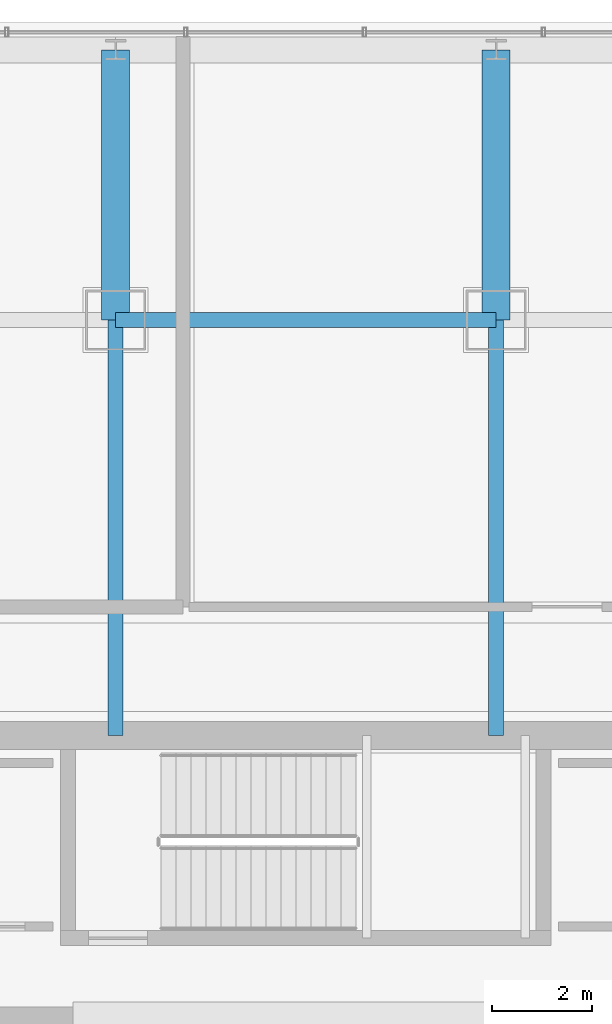
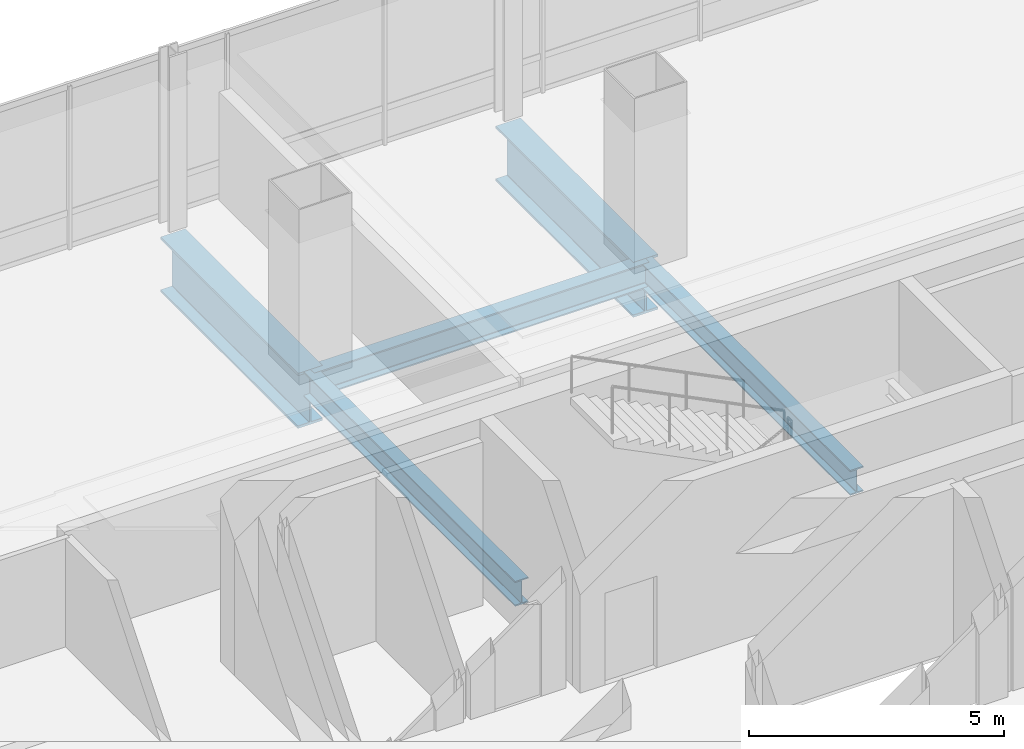
# One storey, part 23 of 51: 5 beams.
"""IFC4 building model written with IfcOpenShell, lengths in metres."""

import ifcopenshell
import ifcopenshell.guid

model = None  # the IFC model being written
_history = None  # IfcOwnerHistory: only IFC2X3 demands one
_inside = {}  # id of a spatial element -> (the spatial element, [elements in it])
_under = {}  # id of a project, library or spatial element -> (it, [spatial elements below it])
_declared = {}  # id of a project -> (the project, [libraries it declares])
_typed = {}  # id of a type object -> (the type object, [elements of that type])
_made_of = {}  # id of a material, layer set ... -> (it, [elements and type objects made of it])


def new_model(schema):
    """Start an empty IFC model of exactly this schema.

    Asked for "IFC4X3", IfcOpenShell would pick the latest addendum, in which some entities
    have other attributes; the version numbers below select the first issue.
    IFC2X3 requires an IfcOwnerHistory on every rooted entity: one is made here for all.
    """
    global model, _history
    if schema == "IFC4X3":
        model = ifcopenshell.file(schema_version=(4, 3, 0, 0))
    else:
        model = ifcopenshell.file(schema=schema)
    _inside.clear()
    _under.clear()
    _declared.clear()
    _typed.clear()
    _made_of.clear()
    _history = None
    if model.schema == "IFC2X3":
        org = make("IfcOrganization", Name="unknown")
        user = make(
            "IfcPersonAndOrganization",
            ThePerson=make("IfcPerson", FamilyName="unknown"),
            TheOrganization=org,
        )
        app = make(
            "IfcApplication",
            ApplicationDeveloper=org,
            Version="unknown",
            ApplicationFullName="unknown",
            ApplicationIdentifier="unknown",
        )
        _history = make(
            "IfcOwnerHistory",
            OwningUser=user,
            OwningApplication=app,
            ChangeAction="ADDED",
            CreationDate=0,
        )
    return model


def make(cls, **values):
    """One entity of the class cls with the attributes given. An attribute that is None is left unset."""
    return model.create_entity(
        cls, **{name: value for name, value in values.items() if value is not None}
    )


def rooted(cls, **values):
    """An entity with a GlobalId (a new one), such as an element, a storey or a relation."""
    return make(cls, GlobalId=ifcopenshell.guid.new(), OwnerHistory=_history, **values)


def si_unit(unit_type, name, prefix=None):
    """IfcSIUnit, for example si_unit("LENGTHUNIT", "METRE", prefix="MILLI")."""
    return make("IfcSIUnit", UnitType=unit_type, Prefix=prefix, Name=name)


def assignment(units):
    """IfcUnitAssignment: the units of a project."""
    return None if units is None else make("IfcUnitAssignment", Units=units)


def point(xyz):
    """IfcCartesianPoint."""
    return None if xyz is None else make("IfcCartesianPoint", Coordinates=xyz)


def direction(xyz):
    """IfcDirection."""
    return None if xyz is None else make("IfcDirection", DirectionRatios=xyz)


def frame(location, z_axis=None, x_axis=None):
    """IfcAxis2Placement3D, a coordinate frame: its origin and axes. An axis left out is left unset."""
    return make(
        "IfcAxis2Placement3D",
        Location=point(location),
        Axis=direction(z_axis),
        RefDirection=direction(x_axis),
    )


def frame_2d(location, x_axis=None):
    """IfcAxis2Placement2D, a coordinate frame in the plane: its origin and x axis."""
    return make(
        "IfcAxis2Placement2D", Location=point(location), RefDirection=direction(x_axis)
    )


def origin():
    """The frame at (0, 0, 0) with its axes left unset."""
    return frame((0.0, 0.0, 0.0))


def origin_2d():
    """The frame at (0, 0) in the plane with its x axis left unset."""
    return frame_2d((0.0, 0.0))


def place(relative_to, where):
    """IfcLocalPlacement: puts the frame where relative to a parent placement (None: the world)."""
    return make(
        "IfcLocalPlacement", PlacementRelTo=relative_to, RelativePlacement=where
    )


def context(
    kind, dimensions, precision=None, world=None, true_north=None, identifier=None
):
    """IfcGeometricRepresentationContext, for example the 3D "Model" context."""
    return make(
        "IfcGeometricRepresentationContext",
        ContextIdentifier=identifier,
        ContextType=kind,
        CoordinateSpaceDimension=dimensions,
        Precision=precision,
        WorldCoordinateSystem=world,
        TrueNorth=true_north,
    )


def subcontext(parent, identifier, kind, view, scale=None):
    """IfcGeometricRepresentationSubContext, for example "Body" below "Model"."""
    return make(
        "IfcGeometricRepresentationSubContext",
        ContextIdentifier=identifier,
        ContextType=kind,
        ParentContext=parent,
        TargetScale=scale,
        TargetView=view,
    )


def project(units=None, contexts=None):
    """IfcProject with its units and contexts."""
    return rooted(
        "IfcProject",
        Name="project",
        RepresentationContexts=contexts,
        UnitsInContext=assignment(units),
    )


def spatial(cls, under=None, at=None, **own):
    """A site, building, storey or space (cls), placed at a placement, below another one or the project."""
    s = rooted(cls, ObjectPlacement=at, **own)
    if under is not None:
        _under.setdefault(under.id(), (under, []))[1].append(s)
    return s


def profile(cls, at=None, kind="AREA", **sizes):
    """A parametric profile (cls). Its sizes go by their IFC names, for example OverallWidth=200.0."""
    return make(cls, ProfileType=kind, Position=at, **sizes)


def i_section(**sizes):
    """IfcIShapeProfileDef."""
    return profile("IfcIShapeProfileDef", **sizes)


def extrude(swept, where, along, depth):
    """IfcExtrudedAreaSolid: the profile swept, set in the frame where, extruded along a direction by depth."""
    return make(
        "IfcExtrudedAreaSolid",
        SweptArea=swept,
        Position=where,
        ExtrudedDirection=direction(along),
        Depth=depth,
    )


def shape(context_of_items, identifier, shape_type, items):
    """IfcShapeRepresentation: the items that make up one representation, for example the "Body"."""
    return make(
        "IfcShapeRepresentation",
        ContextOfItems=context_of_items,
        RepresentationIdentifier=identifier,
        RepresentationType=shape_type,
        Items=items,
    )


def material(Name=None, Category=None):
    """IfcMaterial."""
    return make("IfcMaterial", Name=Name, Category=Category)


def material_profile(
    of_material, cross_section, Name=None, Category=None, Priority=None
):
    """IfcMaterialProfile: a cross section and its material."""
    return make(
        "IfcMaterialProfile",
        Name=Name,
        Material=of_material,
        Profile=cross_section,
        Priority=Priority,
        Category=Category,
    )


def profile_set(profiles, Name=None, composite=None):
    """IfcMaterialProfileSet."""
    return make(
        "IfcMaterialProfileSet",
        Name=Name,
        MaterialProfiles=profiles,
        CompositeProfile=composite,
    )


def made_of(thing, what):
    """Note that an element or type object is made of a material, layer set ...; save() writes the relation."""
    if what is not None:
        _made_of.setdefault(what.id(), (what, []))[1].append(thing)
    return thing


def type_object(cls, material=None, **own):
    """A type object (cls), such as IfcWallType, which elements share."""
    return made_of(rooted(cls, **own), material)


def element(
    cls,
    number,
    at=None,
    inside=None,
    cuts=None,
    type_object=None,
    material=None,
    context=None,
    identifier="Body",
    shape_type=None,
    held_by="IfcProductDefinitionShape",
    body=None,
    shapes=None,
    **own,
):
    """One element of the class cls, such as IfcWall. Its Tag is "e" and its number.

    at: its placement. inside: the storey or other place that contains it. cuts: it is an
    opening in that element (IfcRelVoidsElement). A single representation is given by context,
    identifier, shape_type and body (its items); several are given by shapes. held_by: the class
    of the entity that holds the representations. save() writes the other relations.
    """
    e = rooted(cls, Tag="e%d" % number, ObjectPlacement=at, **own)
    if body is not None:
        shapes = [shape(context, identifier, shape_type, body)]
    if shapes is not None:
        e.Representation = make(held_by, Representations=shapes)
    if inside is not None:
        _inside.setdefault(inside.id(), (inside, []))[1].append(e)
    if cuts is not None:
        rooted(
            "IfcRelVoidsElement", RelatingBuildingElement=cuts, RelatedOpeningElement=e
        )
    if type_object is not None:
        _typed.setdefault(type_object.id(), (type_object, []))[1].append(e)
    return made_of(e, material)


def aggregate(whole, parts):
    """IfcRelAggregates: a whole, such as a stair, and the parts it consists of."""
    return rooted("IfcRelAggregates", RelatingObject=whole, RelatedObjects=parts)


def save(model, path):
    """Write the relations noted so far, then the file.

    IfcRelAggregates (storeys below a building ...), IfcRelContainedInSpatialStructure (elements
    in a storey), IfcRelDefinesByType, IfcRelAssociatesMaterial and IfcRelDeclares: one each for
    every whole, place, type object, material and project.
    """
    for whole, parts in _under.values():
        aggregate(whole, parts)
    for where, things in _inside.values():
        rooted(
            "IfcRelContainedInSpatialStructure",
            RelatedElements=things,
            RelatingStructure=where,
        )
    for kind, things in _typed.values():
        rooted("IfcRelDefinesByType", RelatedObjects=things, RelatingType=kind)
    for what, things in _made_of.values():
        rooted("IfcRelAssociatesMaterial", RelatedObjects=things, RelatingMaterial=what)
    for by, libraries in _declared.values():
        rooted("IfcRelDeclares", RelatingContext=by, RelatedDefinitions=libraries)
    model.write(path)


model = new_model("IFC4")

# Units and contexts
model_context = context("Model", 3, precision=1e-05, world=origin(), true_north=direction((0.0, 1.0)))
body_context = subcontext(model_context, "Body", "Model", "MODEL_VIEW")
ifc_project = project(units=[si_unit("LENGTHUNIT", "METRE"), si_unit("AREAUNIT", "SQUARE_METRE"), si_unit("VOLUMEUNIT", "CUBIC_METRE"), si_unit("PLANEANGLEUNIT", "RADIAN"), si_unit("MASSUNIT", "GRAM", prefix="KILO")], contexts=[model_context])

# Site, building, storey
site_placement = place(None, origin())
site = spatial("IfcSite", under=ifc_project, at=site_placement, CompositionType="ELEMENT")
building_placement = place(site_placement, origin())
building = spatial("IfcBuilding", under=site, at=building_placement, Name="Punatoya Terracotta Tower", CompositionType="ELEMENT")
storey_placement = place(building_placement, frame((0.0, 0.0, 313.199951171875)))
storey = spatial("IfcBuildingStorey", under=building, at=storey_placement, Name="L74", CompositionType="ELEMENT", Elevation=313.199951171875)

# Beams
ifc_material_1 = material(Name="Steel S355", Category="steel")
ifc_material_profile_1 = material_profile(ifc_material_1, i_section(OverallWidth=0.300048828125, OverallDepth=0.60009765625, WebThickness=0.015380859375, FlangeThickness=0.030029296875, FilletRadius=0.01806640625, at=origin_2d()))
ifc_profile_set_1 = profile_set([ifc_material_profile_1], Name="Steel S355")
beam_type_1 = type_object("IfcBeamType", Name="BM-PRI-600", PredefinedType="BEAM", material=ifc_profile_set_1)
beam_placement = place(storey_placement, frame((-3.800048828125, 17.5, -0.5), z_axis=(1.0, 0.0, 0.0), x_axis=(0.0, 1.0, 0.0)))
element("IfcBeam", 1, at=beam_placement, inside=storey, type_object=beam_type_1, Name="BM-L74-RG-N2", PredefinedType="BEAM", context=body_context, shape_type="SweptSolid", body=[
    extrude(i_section(OverallWidth=0.300048828125, OverallDepth=0.60009765625, WebThickness=0.015380859375, FlangeThickness=0.030029296875, FilletRadius=0.01806640625, at=origin_2d()), origin(), (0.0, 0.0, 1.0), 7.60009765625),
])
for number, where, z_axis, x_axis, name in (
    (2, (-3.800048828125, 9.199951171875, -0.5), (0.0, 1.0, 0.0), (-1.0, 0.0, 0.0), "BM-L74-PR-N2"),
    (3, (3.800048828125, 9.199951171875, -0.5), (0.0, 1.0, 0.0), (-1.0, 0.0, 0.0), "BM-L74-PR-N3"),
):
    element("IfcBeam", number, at=place(storey_placement, frame(where, z_axis=z_axis, x_axis=x_axis)), inside=storey, type_object=beam_type_1, Name=name, PredefinedType="BEAM", context=body_context, shape_type="SweptSolid", body=[
        extrude(i_section(OverallWidth=0.300048828125, OverallDepth=0.60009765625, WebThickness=0.015380859375, FlangeThickness=0.030029296875, FilletRadius=0.01806640625, at=origin_2d()), origin(), (0.0, 0.0, 1.0), 8.300048828125),
    ])
ifc_material_2 = material(Name="Steel S460", Category="steel")
ifc_material_profile_2 = material_profile(ifc_material_2, i_section(OverallWidth=0.56005859375, OverallDepth=1.320068359375, WebThickness=0.035888671875, FlangeThickness=0.054931640625, FilletRadius=0.01806640625, at=origin_2d()))
ifc_profile_set_2 = profile_set([ifc_material_profile_2], Name="Steel S460")
beam_type_2 = type_object("IfcBeamType", Name="BM-TG-BLK", PredefinedType="BEAM", material=ifc_profile_set_2)
for number, where, z_axis, x_axis, name in (
    (4, (-3.800048828125, 17.5, -0.85986328125), (0.0, 1.0, 0.0), (-1.0, 0.0, 0.0), "BM-L74-CANT-N2"),
    (5, (3.800048828125, 17.5, -0.85986328125), (0.0, 1.0, 0.0), (-1.0, 0.0, 0.0), "BM-L74-CANT-N3"),
):
    element("IfcBeam", number, at=place(storey_placement, frame(where, z_axis=z_axis, x_axis=x_axis)), inside=storey, type_object=beam_type_2, Name=name, PredefinedType="BEAM", context=body_context, shape_type="SweptSolid", body=[
        extrude(i_section(OverallWidth=0.56005859375, OverallDepth=1.320068359375, WebThickness=0.035888671875, FlangeThickness=0.054931640625, FilletRadius=0.01806640625, at=origin_2d()), origin(), (0.0, 0.0, 1.0), 5.39990234375),
    ])

save(model, "model.ifc")
